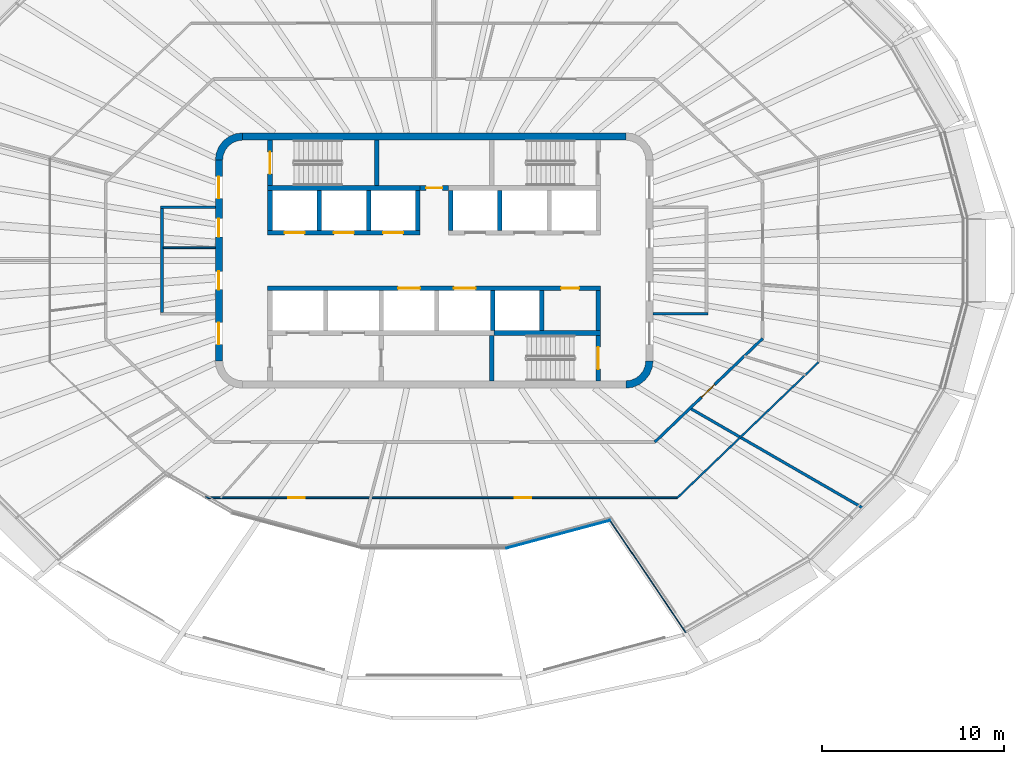
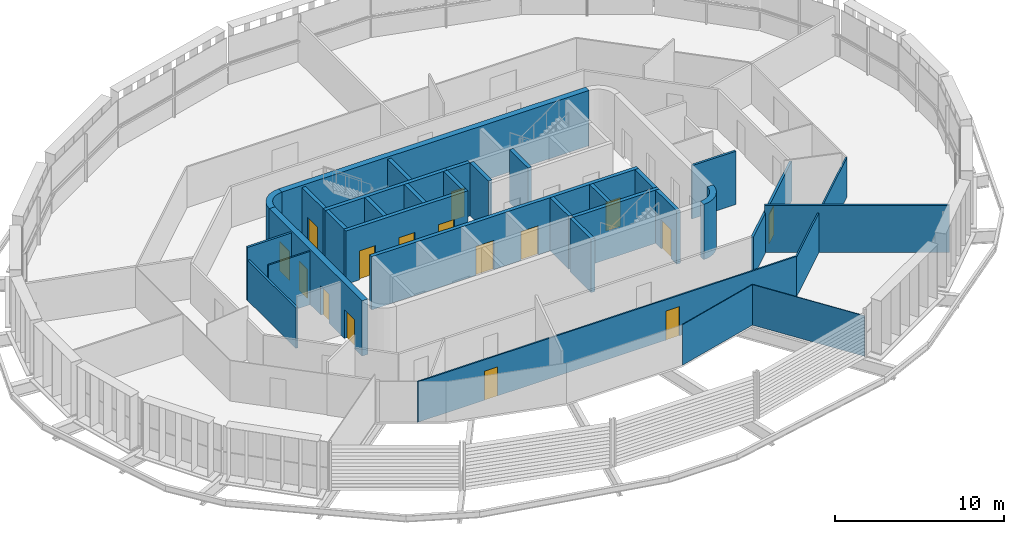
# One storey, part 10 of 19: 32 walls, 16 doors, 16 openings.
"""IFC4 building model written with IfcOpenShell, lengths in metres."""

from ifc_helpers import new_model, si_unit, direction, frame, frame_2d, origin, place, context, subcontext, project, spatial, polyline, rectangle, outline, extrude, material, layer, layer_set, type_object, element, fill, save


model = new_model("IFC4")

# Units and contexts
model_context = context("Model", 3, precision=1e-05, world=origin(), true_north=direction((0.0, 1.0)))
body_context = subcontext(model_context, "Body", "Model", "MODEL_VIEW")
ifc_project = project(units=[si_unit("LENGTHUNIT", "METRE"), si_unit("AREAUNIT", "SQUARE_METRE"), si_unit("VOLUMEUNIT", "CUBIC_METRE"), si_unit("PLANEANGLEUNIT", "RADIAN"), si_unit("MASSUNIT", "GRAM", prefix="KILO")], contexts=[model_context])

# Site, building, storey
site_placement = place(None, origin())
site = spatial("IfcSite", under=ifc_project, at=site_placement, CompositionType="ELEMENT")
building_placement = place(site_placement, origin())
building = spatial("IfcBuilding", under=site, at=building_placement, Name="Sahrelin Media Tower", CompositionType="ELEMENT")
storey_placement = place(building_placement, frame((0.0, 0.0, 279.0)))
storey = spatial("IfcBuildingStorey", under=building, at=storey_placement, Name="L61", CompositionType="ELEMENT", Elevation=279.0)

# Wall
ifc_material_1 = material(Name="Concrete C60/75", Category="concrete")
ifc_layer_1 = layer(ifc_material_1, 0.39990234375)
ifc_layer_set_1 = layer_set([ifc_layer_1], Name="Core wall 400")
wall_type_1 = type_object("IfcWallType", Name="Core wall 400", PredefinedType="SHEAR", material=ifc_layer_set_1)
wall_1_placement = place(storey_placement, frame((-10.5, 6.800048828125, 0.0), z_axis=(0.0, 0.0, 1.0), x_axis=(1.0, 0.0, 0.0)))
element("IfcWall", 1, at=wall_1_placement, inside=storey, type_object=wall_type_1, Name="Core wall N L61", PredefinedType="SHEAR", context=body_context, shape_type="SweptSolid", body=[
    extrude(rectangle(XDim=21.0, YDim=0.39990234375, at=frame_2d((10.5, 0.0))), origin(), (0.0, 0.0, 1.0), 4.0),
])

# Wall, openings, doors
wall_2_placement = place(storey_placement, frame((-11.800048828125, -5.5, 0.0), z_axis=(0.0, 0.0, 1.0), x_axis=(0.0, 1.0, 0.0)))
wall_2 = element("IfcWall", 2, at=wall_2_placement, inside=storey, type_object=wall_type_1, Name="Core wall W L61", PredefinedType="SHEAR", context=body_context, shape_type="SweptSolid", body=[
    extrude(rectangle(XDim=11.0, YDim=0.39990234375, at=frame_2d((5.5, 0.0))), origin(), (0.0, 0.0, 1.0), 4.0),
])
opening_1_placement = place(wall_2_placement, frame((3.89990234375, 0.0, 0.0)))
opening_1 = element("IfcOpeningElement", 3, at=opening_1_placement, cuts=wall_2, Name="Opening L61-D08", PredefinedType="OPENING", context=body_context, shape_type="SweptSolid", body=[
    extrude(rectangle(XDim=1.0, YDim=2.10009765625, at=frame_2d((0.5, 1.050048828125))), frame((0.0, 0.199951171875, 0.0), z_axis=(0.0, -1.0, 0.0), x_axis=(1.0, 0.0, 0.0)), (0.0, 0.0, 1.0), 0.39990234375),
])
opening_2_placement = place(wall_2_placement, frame((6.800048828125, 0.0, 0.0)))
opening_2 = element("IfcOpeningElement", 4, at=opening_2_placement, cuts=wall_2, Name="Opening L61-D09", PredefinedType="OPENING", context=body_context, shape_type="SweptSolid", body=[
    extrude(rectangle(XDim=1.0, YDim=2.10009765625, at=frame_2d((0.5, 1.050048828125))), frame((0.0, 0.199951171875, 0.0), z_axis=(0.0, -1.0, 0.0), x_axis=(1.0, 0.0, 0.0)), (0.0, 0.0, 1.0), 0.39990234375),
])
opening_3_placement = place(wall_2_placement, frame((0.89990234375, 0.0, 0.0)))
opening_3 = element("IfcOpeningElement", 5, at=opening_3_placement, cuts=wall_2, Name="Opening L61-D12", PredefinedType="OPENING", context=body_context, shape_type="SweptSolid", body=[
    extrude(rectangle(XDim=1.199951171875, YDim=2.10009765625, at=frame_2d((0.60009765625, 1.050048828125))), frame((0.0, 0.199951171875, 0.0), z_axis=(0.0, -1.0, 0.0), x_axis=(1.0, 0.0, 0.0)), (0.0, 0.0, 1.0), 0.39990234375),
])
opening_4_placement = place(wall_2_placement, frame((8.89990234375, 0.0, 0.0)))
opening_4 = element("IfcOpeningElement", 6, at=opening_4_placement, cuts=wall_2, Name="Opening L61-D13", PredefinedType="OPENING", context=body_context, shape_type="SweptSolid", body=[
    extrude(rectangle(XDim=1.199951171875, YDim=2.10009765625, at=frame_2d((0.60009765625, 1.050048828125))), frame((0.0, 0.199951171875, 0.0), z_axis=(0.0, -1.0, 0.0), x_axis=(1.0, 0.0, 0.0)), (0.0, 0.0, 1.0), 0.39990234375),
])
ifc_material_2 = material(Name="Steel fire door leaf", Category="steel")
door_type_1 = type_object("IfcDoorType", Name="Fire door 1000 x 2100 EI 60", OperationType="NOTDEFINED", PredefinedType="DOOR", material=ifc_material_2)
door_1_placement = place(opening_1_placement, origin())
door_1 = element("IfcDoor", 7, at=door_1_placement, inside=storey, type_object=door_type_1, Name="Core room door", OperationType="SINGLE_SWING_RIGHT", OverallHeight=2.10009765625, OverallWidth=1.0, PredefinedType="DOOR", context=body_context, shape_type="SweptSolid", body=[
    extrude(rectangle(XDim=1.0, YDim=2.10009765625, at=frame_2d((0.5, 1.050048828125))), frame((0.0, 0.02490234375, 0.0), z_axis=(0.0, -1.0, 0.0), x_axis=(1.0, 0.0, 0.0)), (0.0, 0.0, 1.0), 0.050048828125),
])
fill(opening_1, door_1)
door_2_placement = place(opening_2_placement, origin())
door_2 = element("IfcDoor", 8, at=door_2_placement, inside=storey, type_object=door_type_1, Name="Core room door", OperationType="SINGLE_SWING_RIGHT", OverallHeight=2.10009765625, OverallWidth=1.0, PredefinedType="DOOR", context=body_context, shape_type="SweptSolid", body=[
    extrude(rectangle(XDim=1.0, YDim=2.10009765625, at=frame_2d((0.5, 1.050048828125))), frame((0.0, 0.02490234375, 0.0), z_axis=(0.0, -1.0, 0.0), x_axis=(1.0, 0.0, 0.0)), (0.0, 0.0, 1.0), 0.050048828125),
])
fill(opening_2, door_2)
door_type_2 = type_object("IfcDoorType", Name="Lobby door 1200 x 2100 EI 60", OperationType="NOTDEFINED", PredefinedType="DOOR", material=ifc_material_2)
door_3_placement = place(opening_3_placement, origin())
door_3 = element("IfcDoor", 9, at=door_3_placement, inside=storey, type_object=door_type_2, Name="Lobby door", OperationType="SINGLE_SWING_LEFT", OverallHeight=2.10009765625, OverallWidth=1.199951171875, PredefinedType="DOOR", context=body_context, shape_type="SweptSolid", body=[
    extrude(rectangle(XDim=1.199951171875, YDim=2.10009765625, at=frame_2d((0.60009765625, 1.050048828125))), frame((0.0, 0.02490234375, 0.0), z_axis=(0.0, -1.0, 0.0), x_axis=(1.0, 0.0, 0.0)), (0.0, 0.0, 1.0), 0.050048828125),
])
fill(opening_3, door_3)
door_4_placement = place(opening_4_placement, origin())
door_4 = element("IfcDoor", 10, at=door_4_placement, inside=storey, type_object=door_type_2, Name="Lobby door", OperationType="SINGLE_SWING_LEFT", OverallHeight=2.10009765625, OverallWidth=1.199951171875, PredefinedType="DOOR", context=body_context, shape_type="SweptSolid", body=[
    extrude(rectangle(XDim=1.199951171875, YDim=2.10009765625, at=frame_2d((0.60009765625, 1.050048828125))), frame((0.0, 0.02490234375, 0.0), z_axis=(0.0, -1.0, 0.0), x_axis=(1.0, 0.0, 0.0)), (0.0, 0.0, 1.0), 0.050048828125),
])
fill(opening_4, door_4)

# Walls
placement = place(storey_placement, origin())
element("IfcWall", 11, at=placement, inside=storey, type_object=wall_type_1, Name="Core wall corner NW L61", PredefinedType="SHEAR", context=body_context, shape_type="SweptSolid", body=[
    extrude(outline(polyline([(-12.0, 5.5), (-11.596435546875, 5.5), (-11.55908203125, 5.78369140625), (-11.44970703125, 6.04833984375), (-11.275390625, 6.275390625), (-11.04833984375, 6.44970703125), (-10.78369140625, 6.55908203125), (-10.5, 6.596435546875), (-10.5, 7.0), (-10.88818359375, 6.948974609375), (-11.25, 6.799072265625), (-11.560791015625, 6.560791015625), (-11.799072265625, 6.25), (-11.948974609375, 5.88818359375), (-12.0, 5.5)])), origin(), (0.0, 0.0, 1.0), 4.0),
])
element("IfcWall", 12, at=placement, inside=storey, type_object=wall_type_1, Name="Core wall corner SE L61", PredefinedType="SHEAR", context=body_context, shape_type="SweptSolid", body=[
    extrude(outline(polyline([(12.0, -5.5), (11.596435546875, -5.5), (11.55908203125, -5.78369140625), (11.44970703125, -6.04833984375), (11.275390625, -6.275390625), (11.04833984375, -6.44970703125), (10.78369140625, -6.55908203125), (10.5, -6.596435546875), (10.5, -7.0), (10.88818359375, -6.948974609375), (11.25, -6.799072265625), (11.560791015625, -6.560791015625), (11.799072265625, -6.25), (11.948974609375, -5.88818359375), (12.0, -5.5)])), origin(), (0.0, 0.0, 1.0), 4.0),
])

# Wall, opening, door
ifc_material_3 = material(Name="Fire-rated gypsum board partition")
ifc_layer_2 = layer(ifc_material_3, 0.25)
ifc_layer_set_2 = layer_set([ifc_layer_2], Name="Fire-rated lobby wall 250")
wall_type_2 = type_object("IfcWallType", Name="Fire-rated lobby wall 250", PredefinedType="PARTITIONING", material=ifc_layer_set_2)
wall_5_placement = place(storey_placement, frame((-0.77490234375, 3.97509765625, 0.0), z_axis=(0.0, 0.0, 1.0), x_axis=(1.0, 0.0, 0.0)))
wall_5 = element("IfcWall", 13, at=wall_5_placement, inside=storey, type_object=wall_type_2, Name="Core lobby wall", PredefinedType="PARTITIONING", context=body_context, shape_type="SweptSolid", body=[
    extrude(rectangle(XDim=1.5498046875, YDim=0.25, at=frame_2d((0.77490234375, 0.0))), origin(), (0.0, 0.0, 1.0), 3.85009765625),
])
opening_5_placement = place(wall_5_placement, frame((0.324951171875, 0.0, 0.0)))
opening_5 = element("IfcOpeningElement", 14, at=opening_5_placement, cuts=wall_5, Name="Opening L61-D06", PredefinedType="OPENING", context=body_context, shape_type="SweptSolid", body=[
    extrude(rectangle(XDim=0.89990234375, YDim=2.10009765625, at=frame_2d((0.449951171875, 1.050048828125))), frame((0.0, 0.125, 0.0), z_axis=(0.0, -1.0, 0.0), x_axis=(1.0, 0.0, 0.0)), (0.0, 0.0, 1.0), 0.25),
])
door_type_3 = type_object("IfcDoorType", Name="Riser door 900 x 2100 EI 120", OperationType="NOTDEFINED", PredefinedType="DOOR", material=ifc_material_2)
door_5_placement = place(opening_5_placement, origin())
door_5 = element("IfcDoor", 15, at=door_5_placement, inside=storey, type_object=door_type_3, Name="Core room door", OperationType="SINGLE_SWING_LEFT", OverallHeight=2.10009765625, OverallWidth=0.89990234375, PredefinedType="DOOR", context=body_context, shape_type="SweptSolid", body=[
    extrude(rectangle(XDim=0.89990234375, YDim=2.10009765625, at=frame_2d((0.449951171875, 1.050048828125))), frame((0.0, 0.02490234375, 0.0), z_axis=(0.0, -1.0, 0.0), x_axis=(1.0, 0.0, 0.0)), (0.0, 0.0, 1.0), 0.050048828125),
])
fill(opening_5, door_5)

# Walls
ifc_layer_3 = layer(ifc_material_3, 0.10009765625)
ifc_layer_set_3 = layer_set([ifc_layer_3], Name="Fire-rated partition 100")
wall_type_3 = type_object("IfcWallType", Name="Fire-rated partition 100", PredefinedType="PARTITIONING", material=ifc_layer_set_3)
wall_6_placement = place(storey_placement, frame((-14.85009765625, 0.699951171875, 0.0), z_axis=(0.0, 0.0, 1.0), x_axis=(1.0, 0.0, 0.0)))
element("IfcWall", 16, at=wall_6_placement, inside=storey, type_object=wall_type_3, Name="Core room partition", PredefinedType="PARTITIONING", context=body_context, shape_type="SweptSolid", body=[
    extrude(rectangle(XDim=2.85009765625, YDim=0.10009765625, at=frame_2d((1.425048828125, 0.0))), origin(), (0.0, 0.0, 1.0), 3.85009765625),
])
ifc_layer_4 = layer(ifc_material_3, 0.14990234375)
ifc_layer_set_4 = layer_set([ifc_layer_4], Name="Fire-rated partition 150")
wall_type_4 = type_object("IfcWallType", Name="Fire-rated partition 150", PredefinedType="PARTITIONING", material=ifc_layer_set_4)
wall_7_placement = place(storey_placement, frame((-14.925048828125, -2.85009765625, 0.0), z_axis=(0.0, 0.0, 1.0), x_axis=(0.0, 1.0, 0.0)))
element("IfcWall", 17, at=wall_7_placement, inside=storey, type_object=wall_type_4, Name="Core room fire partition", PredefinedType="PARTITIONING", context=body_context, shape_type="SweptSolid", body=[
    extrude(rectangle(XDim=5.7001953125, YDim=0.14990234375, at=frame_2d((2.85009765625, 0.0))), origin(), (0.0, 0.0, 1.0), 2.918212890625),
])
for number, where, z_axis, x_axis, name in (
    (18, (-15.0, 2.925048828125, 0.0), (0.0, 0.0, 1.0), (1.0, 0.0, 0.0), "Core room fire partition"),
    (19, (12.0, -2.925048828125, 0.0), (0.0, 0.0, 1.0), (1.0, 0.0, 0.0), "Core room fire partition"),
):
    element("IfcWall", number, at=place(storey_placement, frame(where, z_axis=z_axis, x_axis=x_axis)), inside=storey, type_object=wall_type_4, Name=name, PredefinedType="PARTITIONING", context=body_context, shape_type="SweptSolid", body=[
        extrude(rectangle(XDim=3.0, YDim=0.14990234375, at=frame_2d((1.5, 0.0))), origin(), (0.0, 0.0, 1.0), 3.85009765625),
    ])
wall_8_placement = place(storey_placement, frame((14.02392578125, -8.096923828125, 0.0), z_axis=(0.0, 0.0, 1.0), x_axis=(0.866031225993, -0.499989915504, 0.0)))
element("IfcWall", 20, at=wall_8_placement, inside=storey, type_object=wall_type_4, Name="Wall", PredefinedType="PARTITIONING", context=body_context, shape_type="SweptSolid", body=[
    extrude(rectangle(XDim=10.930419921875, YDim=0.14990234375, at=frame_2d((5.46533203125, 0.0))), origin(), (0.0, 0.0, 1.0), 3.425048828125),
])

# Wall, opening, door
wall_9_placement = place(storey_placement, frame((12.094970703125, -9.948974609375, 0.0), z_axis=(0.0, 0.0, 1.0), x_axis=(0.721290181137, 0.692633001376, 0.0)))
wall_9 = element("IfcWall", 21, at=wall_9_placement, inside=storey, type_object=wall_type_4, Name="Wall", PredefinedType="PARTITIONING", context=body_context, shape_type="SweptSolid", body=[
    extrude(rectangle(XDim=8.18701171875, YDim=0.14990234375, at=frame_2d((4.093505859375, 0.0))), origin(), (0.0, 0.0, 1.0), 2.876953125),
])
opening_6_placement = place(wall_9_placement, frame((3.5419921875, 0.0, 0.0)))
opening_6 = element("IfcOpeningElement", 22, at=opening_6_placement, cuts=wall_9, Name="Opening L61-D18", PredefinedType="OPENING", context=body_context, shape_type="SweptSolid", body=[
    extrude(rectangle(XDim=1.0, YDim=2.10009765625, at=frame_2d((0.5, 1.050048828125))), frame((0.0, 0.074951171875, 0.0), z_axis=(0.0, -1.0, 0.0), x_axis=(1.0, 0.0, 0.0)), (0.0, 0.0, 1.0), 0.14990234375),
])
door_6_placement = place(opening_6_placement, origin())
door_6 = element("IfcDoor", 23, at=door_6_placement, inside=storey, type_object=door_type_1, Name="Fire door", OperationType="SINGLE_SWING_LEFT", OverallHeight=2.10009765625, OverallWidth=1.0, PredefinedType="DOOR", context=body_context, shape_type="SweptSolid", body=[
    extrude(rectangle(XDim=1.0, YDim=2.10009765625, at=frame_2d((0.5, 1.050048828125))), frame((0.0, 0.02490234375, 0.0), z_axis=(0.0, -1.0, 0.0), x_axis=(1.0, 0.0, 0.0)), (0.0, 0.0, 1.0), 0.050048828125),
])
fill(opening_6, door_6)

# Walls
ifc_material_4 = material(Name="Clear glass", Category="glass")
ifc_layer_5 = layer(ifc_material_4, 0.050048828125)
ifc_layer_set_5 = layer_set([ifc_layer_5], Name="Glazed partition 50")
wall_type_5 = type_object("IfcWallType", Name="Glazed partition 50", PredefinedType="PARTITIONING", material=ifc_layer_set_5)
wall_10_placement = place(storey_placement, frame((9.634033203125, -14.2470703125, 0.0), z_axis=(0.0, 0.0, 1.0), x_axis=(0.560195620851, -0.828360348145, 0.0)))
element("IfcWall", 24, at=wall_10_placement, inside=storey, type_object=wall_type_5, Name="Wall", PredefinedType="PARTITIONING", context=body_context, shape_type="SweptSolid", body=[
    extrude(rectangle(XDim=7.40625, YDim=0.050048828125, at=frame_2d((3.703125, 0.0))), origin(), (0.0, 0.0, 1.0), 2.927001953125),
])
wall_11_placement = place(storey_placement, frame((3.967041015625, -15.764892578125, 0.0), z_axis=(0.0, 0.0, 1.0), x_axis=(0.965953251559, 0.258716670901, 0.0)))
element("IfcWall", 25, at=wall_11_placement, inside=storey, type_object=wall_type_5, Name="Wall", PredefinedType="PARTITIONING", context=body_context, shape_type="SweptSolid", body=[
    extrude(rectangle(XDim=5.86669921875, YDim=0.050048828125, at=frame_2d((2.933349609375, 0.0))), origin(), (0.0, 0.0, 1.0), 2.927001953125),
])

# Wall, openings, doors
ifc_layer_6 = layer(ifc_material_1, 0.25)
ifc_layer_set_6 = layer_set([ifc_layer_6], Name="Lift shaft wall 250")
wall_type_6 = type_object("IfcWallType", Name="Lift shaft wall 250", PredefinedType="SOLIDWALL", material=ifc_layer_set_6)
wall_12_placement = place(storey_placement, frame((-9.125, 1.52490234375, 0.0), z_axis=(0.0, 0.0, 1.0), x_axis=(1.0, 0.0, 0.0)))
wall_12 = element("IfcWall", 26, at=wall_12_placement, inside=storey, type_object=wall_type_6, Name="Lift shaft wall", PredefinedType="SOLIDWALL", context=body_context, shape_type="SweptSolid", body=[
    extrude(rectangle(XDim=8.35009765625, YDim=0.25, at=frame_2d((4.175048828125, 0.0))), origin(), (0.0, 0.0, 1.0), 3.85009765625),
])
opening_7_placement = place(wall_12_placement, frame((0.925048828125, 0.0, 0.0)))
opening_7 = element("IfcOpeningElement", 27, at=opening_7_placement, cuts=wall_12, Name="Opening L61-LD-HR1", PredefinedType="OPENING", context=body_context, shape_type="SweptSolid", body=[
    extrude(rectangle(XDim=1.10009765625, YDim=2.10009765625, at=frame_2d((0.550048828125, 1.050048828125))), frame((0.0, 0.125, 0.0), z_axis=(0.0, -1.0, 0.0), x_axis=(1.0, 0.0, 0.0)), (0.0, 0.0, 1.0), 0.25),
])
opening_8_placement = place(wall_12_placement, frame((3.625, 0.0, 0.0)))
opening_8 = element("IfcOpeningElement", 28, at=opening_8_placement, cuts=wall_12, Name="Opening L61-LD-HR2", PredefinedType="OPENING", context=body_context, shape_type="SweptSolid", body=[
    extrude(rectangle(XDim=1.10009765625, YDim=2.10009765625, at=frame_2d((0.550048828125, 1.050048828125))), frame((0.0, 0.125, 0.0), z_axis=(0.0, -1.0, 0.0), x_axis=(1.0, 0.0, 0.0)), (0.0, 0.0, 1.0), 0.25),
])
opening_9_placement = place(wall_12_placement, frame((6.324951171875, 0.0, 0.0)))
opening_9 = element("IfcOpeningElement", 29, at=opening_9_placement, cuts=wall_12, Name="Opening L61-LD-HR3", PredefinedType="OPENING", context=body_context, shape_type="SweptSolid", body=[
    extrude(rectangle(XDim=1.10009765625, YDim=2.10009765625, at=frame_2d((0.550048828125, 1.050048828125))), frame((0.0, 0.125, 0.0), z_axis=(0.0, -1.0, 0.0), x_axis=(1.0, 0.0, 0.0)), (0.0, 0.0, 1.0), 0.25),
])
ifc_material_5 = material(Name="Stainless steel", Category="steel")
door_type_4 = type_object("IfcDoorType", Name="Lift landing door 1100 x 2100 EI 120", OperationType="DOUBLE_DOOR_SLIDING", PredefinedType="DOOR", material=ifc_material_5)
door_7_placement = place(opening_7_placement, origin())
door_7 = element("IfcDoor", 30, at=door_7_placement, inside=storey, type_object=door_type_4, Name="Lift landing door HR1", OperationType="DOUBLE_DOOR_SLIDING", OverallHeight=2.10009765625, OverallWidth=1.10009765625, PredefinedType="DOOR", context=body_context, shape_type="SweptSolid", body=[
    extrude(rectangle(XDim=1.10009765625, YDim=2.10009765625, at=frame_2d((0.550048828125, 1.050048828125))), frame((0.0, 0.02490234375, 0.0), z_axis=(0.0, -1.0, 0.0), x_axis=(1.0, 0.0, 0.0)), (0.0, 0.0, 1.0), 0.050048828125),
])
fill(opening_7, door_7)
door_8_placement = place(opening_8_placement, origin())
door_8 = element("IfcDoor", 31, at=door_8_placement, inside=storey, type_object=door_type_4, Name="Lift landing door HR2", OperationType="DOUBLE_DOOR_SLIDING", OverallHeight=2.10009765625, OverallWidth=1.10009765625, PredefinedType="DOOR", context=body_context, shape_type="SweptSolid", body=[
    extrude(rectangle(XDim=1.10009765625, YDim=2.10009765625, at=frame_2d((0.550048828125, 1.050048828125))), frame((0.0, 0.02490234375, 0.0), z_axis=(0.0, -1.0, 0.0), x_axis=(1.0, 0.0, 0.0)), (0.0, 0.0, 1.0), 0.050048828125),
])
fill(opening_8, door_8)
door_9_placement = place(opening_9_placement, origin())
door_9 = element("IfcDoor", 32, at=door_9_placement, inside=storey, type_object=door_type_4, Name="Lift landing door HR3", OperationType="DOUBLE_DOOR_SLIDING", OverallHeight=2.10009765625, OverallWidth=1.10009765625, PredefinedType="DOOR", context=body_context, shape_type="SweptSolid", body=[
    extrude(rectangle(XDim=1.10009765625, YDim=2.10009765625, at=frame_2d((0.550048828125, 1.050048828125))), frame((0.0, 0.02490234375, 0.0), z_axis=(0.0, -1.0, 0.0), x_axis=(1.0, 0.0, 0.0)), (0.0, 0.0, 1.0), 0.050048828125),
])
fill(opening_9, door_9)

# Walls
wall_13_placement = place(storey_placement, frame((-9.125, 3.97509765625, 0.0), z_axis=(0.0, 0.0, 1.0), x_axis=(1.0, 0.0, 0.0)))
element("IfcWall", 33, at=wall_13_placement, inside=storey, type_object=wall_type_6, Name="Lift shaft wall", PredefinedType="SOLIDWALL", context=body_context, shape_type="SweptSolid", body=[
    extrude(rectangle(XDim=8.35009765625, YDim=0.25, at=frame_2d((4.175048828125, 0.0))), origin(), (0.0, 0.0, 1.0), 3.85009765625),
])
for number, where, z_axis, x_axis, name in (
    (34, (-9.0, 1.64990234375, 0.0), (0.0, 0.0, 1.0), (0.0, 1.0, 0.0), "Lift shaft wall"),
    (35, (-6.300048828125, 1.64990234375, 0.0), (0.0, 0.0, 1.0), (0.0, 1.0, 0.0), "Lift shaft wall"),
    (36, (-3.60009765625, 1.64990234375, 0.0), (0.0, 0.0, 1.0), (0.0, 1.0, 0.0), "Lift shaft wall"),
    (37, (3.60009765625, 1.64990234375, 0.0), (0.0, 0.0, 1.0), (0.0, 1.0, 0.0), "Lift shaft wall"),
    (38, (-0.89990234375, 1.64990234375, 0.0), (0.0, 0.0, 1.0), (0.0, 1.0, 0.0), "Lift shaft wall"),
    (39, (0.89990234375, 1.64990234375, 0.0), (0.0, 0.0, 1.0), (0.0, 1.0, 0.0), "Lift shaft wall"),
):
    element("IfcWall", number, at=place(storey_placement, frame(where, z_axis=z_axis, x_axis=x_axis)), inside=storey, type_object=wall_type_6, Name=name, PredefinedType="SOLIDWALL", context=body_context, shape_type="SweptSolid", body=[
        extrude(rectangle(XDim=2.2001953125, YDim=0.25, at=frame_2d((1.10009765625, 0.0))), origin(), (0.0, 0.0, 1.0), 3.85009765625),
    ])

# Wall, openings, doors
wall_14_placement = place(storey_placement, frame((-9.125, -1.52490234375, 0.0), z_axis=(0.0, 0.0, 1.0), x_axis=(1.0, 0.0, 0.0)))
wall_14 = element("IfcWall", 40, at=wall_14_placement, inside=storey, type_object=wall_type_6, Name="Lift shaft wall", PredefinedType="SOLIDWALL", context=body_context, shape_type="SweptSolid", body=[
    extrude(rectangle(XDim=18.25, YDim=0.25, at=frame_2d((9.125, 0.0))), origin(), (0.0, 0.0, 1.0), 3.85009765625),
])
opening_10_placement = place(wall_14_placement, frame((7.14990234375, 0.0, 0.0)))
opening_10 = element("IfcOpeningElement", 41, at=opening_10_placement, cuts=wall_14, Name="Opening L61-LD-SV1", PredefinedType="OPENING", context=body_context, shape_type="SweptSolid", body=[
    extrude(rectangle(XDim=1.199951171875, YDim=2.10009765625, at=frame_2d((0.60009765625, 1.050048828125))), frame((0.0, 0.125, 0.0), z_axis=(0.0, -1.0, 0.0), x_axis=(1.0, 0.0, 0.0)), (0.0, 0.0, 1.0), 0.25),
])
opening_11_placement = place(wall_14_placement, frame((10.199951171875, 0.0, 0.0)))
opening_11 = element("IfcOpeningElement", 42, at=opening_11_placement, cuts=wall_14, Name="Opening L61-LD-SV2", PredefinedType="OPENING", context=body_context, shape_type="SweptSolid", body=[
    extrude(rectangle(XDim=1.199951171875, YDim=2.10009765625, at=frame_2d((0.60009765625, 1.050048828125))), frame((0.0, 0.125, 0.0), z_axis=(0.0, -1.0, 0.0), x_axis=(1.0, 0.0, 0.0)), (0.0, 0.0, 1.0), 0.25),
])
opening_12_placement = place(wall_14_placement, frame((16.074951171875, 0.0, 0.0)))
opening_12 = element("IfcOpeningElement", 43, at=opening_12_placement, cuts=wall_14, Name="Opening L61-D07", PredefinedType="OPENING", context=body_context, shape_type="SweptSolid", body=[
    extrude(rectangle(XDim=1.0, YDim=2.10009765625, at=frame_2d((0.5, 1.050048828125))), frame((0.0, 0.125, 0.0), z_axis=(0.0, -1.0, 0.0), x_axis=(1.0, 0.0, 0.0)), (0.0, 0.0, 1.0), 0.25),
])
door_10_placement = place(opening_12_placement, origin())
door_10 = element("IfcDoor", 44, at=door_10_placement, inside=storey, type_object=door_type_1, Name="Core room door", OperationType="SINGLE_SWING_RIGHT", OverallHeight=2.10009765625, OverallWidth=1.0, PredefinedType="DOOR", context=body_context, shape_type="SweptSolid", body=[
    extrude(rectangle(XDim=1.0, YDim=2.10009765625, at=frame_2d((0.5, 1.050048828125))), frame((0.0, 0.02490234375, 0.0), z_axis=(0.0, -1.0, 0.0), x_axis=(1.0, 0.0, 0.0)), (0.0, 0.0, 1.0), 0.050048828125),
])
fill(opening_12, door_10)
door_type_5 = type_object("IfcDoorType", Name="Lift landing door 1200 x 2100 EI 120", OperationType="DOUBLE_DOOR_SLIDING", PredefinedType="DOOR", material=ifc_material_5)
door_11_placement = place(opening_10_placement, origin())
door_11 = element("IfcDoor", 45, at=door_11_placement, inside=storey, type_object=door_type_5, Name="Lift landing door SV1", OperationType="DOUBLE_DOOR_SLIDING", OverallHeight=2.10009765625, OverallWidth=1.199951171875, PredefinedType="DOOR", context=body_context, shape_type="SweptSolid", body=[
    extrude(rectangle(XDim=1.199951171875, YDim=2.10009765625, at=frame_2d((0.60009765625, 1.050048828125))), frame((0.0, 0.02490234375, 0.0), z_axis=(0.0, -1.0, 0.0), x_axis=(1.0, 0.0, 0.0)), (0.0, 0.0, 1.0), 0.050048828125),
])
fill(opening_10, door_11)
door_12_placement = place(opening_11_placement, origin())
door_12 = element("IfcDoor", 46, at=door_12_placement, inside=storey, type_object=door_type_5, Name="Lift landing door SV2", OperationType="DOUBLE_DOOR_SLIDING", OverallHeight=2.10009765625, OverallWidth=1.199951171875, PredefinedType="DOOR", context=body_context, shape_type="SweptSolid", body=[
    extrude(rectangle(XDim=1.199951171875, YDim=2.10009765625, at=frame_2d((0.60009765625, 1.050048828125))), frame((0.0, 0.02490234375, 0.0), z_axis=(0.0, -1.0, 0.0), x_axis=(1.0, 0.0, 0.0)), (0.0, 0.0, 1.0), 0.050048828125),
])
fill(opening_11, door_12)

# Walls
wall_15_placement = place(storey_placement, frame((3.27490234375, -3.97509765625, 0.0), z_axis=(0.0, 0.0, 1.0), x_axis=(1.0, 0.0, 0.0)))
element("IfcWall", 47, at=wall_15_placement, inside=storey, type_object=wall_type_6, Name="Lift shaft wall", PredefinedType="SOLIDWALL", context=body_context, shape_type="SweptSolid", body=[
    extrude(rectangle(XDim=5.85009765625, YDim=0.25, at=frame_2d((2.925048828125, 0.0))), origin(), (0.0, 0.0, 1.0), 3.85009765625),
])
for number, where, z_axis, x_axis, name in (
    (48, (3.199951171875, -3.85009765625, 0.0), (0.0, 0.0, 1.0), (0.0, 1.0, 0.0), "Lift shaft wall"),
    (49, (5.89990234375, -3.85009765625, 0.0), (0.0, 0.0, 1.0), (0.0, 1.0, 0.0), "Lift shaft wall"),
    (50, (9.0, -3.85009765625, 0.0), (0.0, 0.0, 1.0), (0.0, 1.0, 0.0), "Lift shaft wall"),
):
    element("IfcWall", number, at=place(storey_placement, frame(where, z_axis=z_axis, x_axis=x_axis)), inside=storey, type_object=wall_type_6, Name=name, PredefinedType="SOLIDWALL", context=body_context, shape_type="SweptSolid", body=[
        extrude(rectangle(XDim=2.2001953125, YDim=0.25, at=frame_2d((1.10009765625, 0.0))), origin(), (0.0, 0.0, 1.0), 3.85009765625),
    ])

# Wall, openings, doors
ifc_material_6 = material(Name="Gypsum board partition")
ifc_layer_7 = layer(ifc_material_6, 0.10009765625)
ifc_layer_set_7 = layer_set([ifc_layer_7], Name="Partition 100")
wall_type_7 = type_object("IfcWallType", Name="Partition 100", PredefinedType="PARTITIONING", material=ifc_layer_set_7)
wall_16_placement = place(storey_placement, frame((-12.552978515625, -13.009033203125, 0.0), z_axis=(0.0, 0.0, 1.0), x_axis=(1.0, 0.0, 0.0)))
wall_16 = element("IfcWall", 51, at=wall_16_placement, inside=storey, type_object=wall_type_7, Name="Wall", PredefinedType="PARTITIONING", context=body_context, shape_type="SweptSolid", body=[
    extrude(rectangle(XDim=25.87890625, YDim=0.10009765625, at=frame_2d((12.939453125, 0.0))), origin(), (0.0, 0.0, 1.0), 2.927001953125),
])
opening_13_placement = place(wall_16_placement, frame((16.972900390625, 0.0, 0.0)))
opening_13 = element("IfcOpeningElement", 52, at=opening_13_placement, cuts=wall_16, Name="Opening L61-D17", PredefinedType="OPENING", context=body_context, shape_type="SweptSolid", body=[
    extrude(rectangle(XDim=0.89990234375, YDim=2.10009765625, at=frame_2d((0.449951171875, 1.050048828125))), frame((0.0, 0.050048828125, 0.0), z_axis=(0.0, -1.0, 0.0), x_axis=(1.0, 0.0, 0.0)), (0.0, 0.0, 1.0), 0.10009765625),
])
opening_14_placement = place(wall_16_placement, frame((4.5537109375, 0.0, 0.0)))
opening_14 = element("IfcOpeningElement", 53, at=opening_14_placement, cuts=wall_16, Name="Opening L61-D34", PredefinedType="OPENING", context=body_context, shape_type="SweptSolid", body=[
    extrude(rectangle(XDim=0.89990234375, YDim=2.10009765625, at=frame_2d((0.449951171875, 1.050048828125))), frame((0.0, 0.050048828125, 0.0), z_axis=(0.0, -1.0, 0.0), x_axis=(1.0, 0.0, 0.0)), (0.0, 0.0, 1.0), 0.10009765625),
])
ifc_material_7 = material(Name="Timber door leaf", Category="wood")
door_type_6 = type_object("IfcDoorType", Name="Single door 900 x 2100", OperationType="NOTDEFINED", PredefinedType="DOOR", material=ifc_material_7)
door_13_placement = place(opening_13_placement, origin())
door_13 = element("IfcDoor", 54, at=door_13_placement, inside=storey, type_object=door_type_6, Name="Single door", OperationType="SINGLE_SWING_LEFT", OverallHeight=2.10009765625, OverallWidth=0.89990234375, PredefinedType="DOOR", context=body_context, shape_type="SweptSolid", body=[
    extrude(rectangle(XDim=0.89990234375, YDim=2.10009765625, at=frame_2d((0.449951171875, 1.050048828125))), frame((0.0, 0.02490234375, 0.0), z_axis=(0.0, -1.0, 0.0), x_axis=(1.0, 0.0, 0.0)), (0.0, 0.0, 1.0), 0.050048828125),
])
fill(opening_13, door_13)
door_14_placement = place(opening_14_placement, origin())
door_14 = element("IfcDoor", 55, at=door_14_placement, inside=storey, type_object=door_type_6, Name="Single door", OperationType="SINGLE_SWING_LEFT", OverallHeight=2.10009765625, OverallWidth=0.89990234375, PredefinedType="DOOR", context=body_context, shape_type="SweptSolid", body=[
    extrude(rectangle(XDim=0.89990234375, YDim=2.10009765625, at=frame_2d((0.449951171875, 1.050048828125))), frame((0.0, 0.02490234375, 0.0), z_axis=(0.0, -1.0, 0.0), x_axis=(1.0, 0.0, 0.0)), (0.0, 0.0, 1.0), 0.050048828125),
])
fill(opening_14, door_14)

# Wall
wall_17_placement = place(storey_placement, frame((13.325927734375, -13.009033203125, 0.0), z_axis=(0.0, 0.0, 1.0), x_axis=(0.721216222175, 0.692710012106, 0.0)))
element("IfcWall", 56, at=wall_17_placement, inside=storey, type_object=wall_type_7, Name="Wall", PredefinedType="PARTITIONING", context=body_context, shape_type="SweptSolid", body=[
    extrude(rectangle(XDim=10.72265625, YDim=0.10009765625, at=frame_2d((5.361328125, 0.0))), origin(), (0.0, 0.0, 1.0), 2.876953125),
])

# Wall, opening, door
ifc_layer_8 = layer(ifc_material_1, 0.25)
ifc_layer_set_8 = layer_set([ifc_layer_8], Name="Stair enclosure wall 250")
wall_type_8 = type_object("IfcWallType", Name="Stair enclosure wall 250", PredefinedType="SOLIDWALL", material=ifc_layer_set_8)
wall_18_placement = place(storey_placement, frame((-9.0, 4.10009765625, 0.0), z_axis=(0.0, 0.0, 1.0), x_axis=(0.0, 1.0, 0.0)))
wall_18 = element("IfcWall", 57, at=wall_18_placement, inside=storey, type_object=wall_type_8, Name="Stair enclosure wall", PredefinedType="SOLIDWALL", context=body_context, shape_type="SweptSolid", body=[
    extrude(rectangle(XDim=2.5, YDim=0.25, at=frame_2d((1.25, 0.0))), origin(), (0.0, 0.0, 1.0), 3.85009765625),
])
opening_15_placement = place(wall_18_placement, frame((0.64990234375, 0.0, 0.0)))
opening_15 = element("IfcOpeningElement", 58, at=opening_15_placement, cuts=wall_18, Name="Opening L61-D01", PredefinedType="OPENING", context=body_context, shape_type="SweptSolid", body=[
    extrude(rectangle(XDim=1.199951171875, YDim=2.10009765625, at=frame_2d((0.60009765625, 1.050048828125))), frame((0.0, 0.125, 0.0), z_axis=(0.0, -1.0, 0.0), x_axis=(1.0, 0.0, 0.0)), (0.0, 0.0, 1.0), 0.25),
])
door_type_7 = type_object("IfcDoorType", Name="Stair door 1200 x 2100 EI 120", OperationType="NOTDEFINED", PredefinedType="DOOR", material=ifc_material_2)
door_15_placement = place(opening_15_placement, origin())
door_15 = element("IfcDoor", 59, at=door_15_placement, inside=storey, type_object=door_type_7, Name="Stair door ST1", OperationType="SINGLE_SWING_RIGHT", OverallHeight=2.10009765625, OverallWidth=1.199951171875, PredefinedType="DOOR", context=body_context, shape_type="SweptSolid", body=[
    extrude(rectangle(XDim=1.199951171875, YDim=2.10009765625, at=frame_2d((0.60009765625, 1.050048828125))), frame((0.0, 0.02490234375, 0.0), z_axis=(0.0, -1.0, 0.0), x_axis=(1.0, 0.0, 0.0)), (0.0, 0.0, 1.0), 0.050048828125),
])
fill(opening_15, door_15)

wall_19_placement = place(storey_placement, frame((9.0, -6.60009765625, 0.0), z_axis=(0.0, 0.0, 1.0), x_axis=(0.0, 1.0, 0.0)))
wall_19 = element("IfcWall", 60, at=wall_19_placement, inside=storey, type_object=wall_type_8, Name="Stair enclosure wall", PredefinedType="SOLIDWALL", context=body_context, shape_type="SweptSolid", body=[
    extrude(rectangle(XDim=2.5, YDim=0.25, at=frame_2d((1.25, 0.0))), origin(), (0.0, 0.0, 1.0), 3.85009765625),
])
opening_16_placement = place(wall_19_placement, frame((0.64990234375, 0.0, 0.0)))
opening_16 = element("IfcOpeningElement", 61, at=opening_16_placement, cuts=wall_19, Name="Opening L61-D03", PredefinedType="OPENING", context=body_context, shape_type="SweptSolid", body=[
    extrude(rectangle(XDim=1.199951171875, YDim=2.10009765625, at=frame_2d((0.60009765625, 1.050048828125))), frame((0.0, 0.125, 0.0), z_axis=(0.0, -1.0, 0.0), x_axis=(1.0, 0.0, 0.0)), (0.0, 0.0, 1.0), 0.25),
])
door_16_placement = place(opening_16_placement, origin())
door_16 = element("IfcDoor", 62, at=door_16_placement, inside=storey, type_object=door_type_7, Name="Stair door ST2", OperationType="SINGLE_SWING_LEFT", OverallHeight=2.10009765625, OverallWidth=1.199951171875, PredefinedType="DOOR", context=body_context, shape_type="SweptSolid", body=[
    extrude(rectangle(XDim=1.199951171875, YDim=2.10009765625, at=frame_2d((0.60009765625, 1.050048828125))), frame((0.0, 0.02490234375, 0.0), z_axis=(0.0, -1.0, 0.0), x_axis=(1.0, 0.0, 0.0)), (0.0, 0.0, 1.0), 0.050048828125),
])
fill(opening_16, door_16)

# Walls
for number, where, z_axis, x_axis, name in (
    (63, (-3.14990234375, 4.10009765625, 0.0), (0.0, 0.0, 1.0), (0.0, 1.0, 0.0), "Stair enclosure wall"),
    (64, (3.14990234375, -6.60009765625, 0.0), (0.0, 0.0, 1.0), (0.0, 1.0, 0.0), "Stair enclosure wall"),
):
    element("IfcWall", number, at=place(storey_placement, frame(where, z_axis=z_axis, x_axis=x_axis)), inside=storey, type_object=wall_type_8, Name=name, PredefinedType="SOLIDWALL", context=body_context, shape_type="SweptSolid", body=[
        extrude(rectangle(XDim=2.5, YDim=0.25, at=frame_2d((1.25, 0.0))), origin(), (0.0, 0.0, 1.0), 3.85009765625),
    ])

save(model, "model.ifc")
